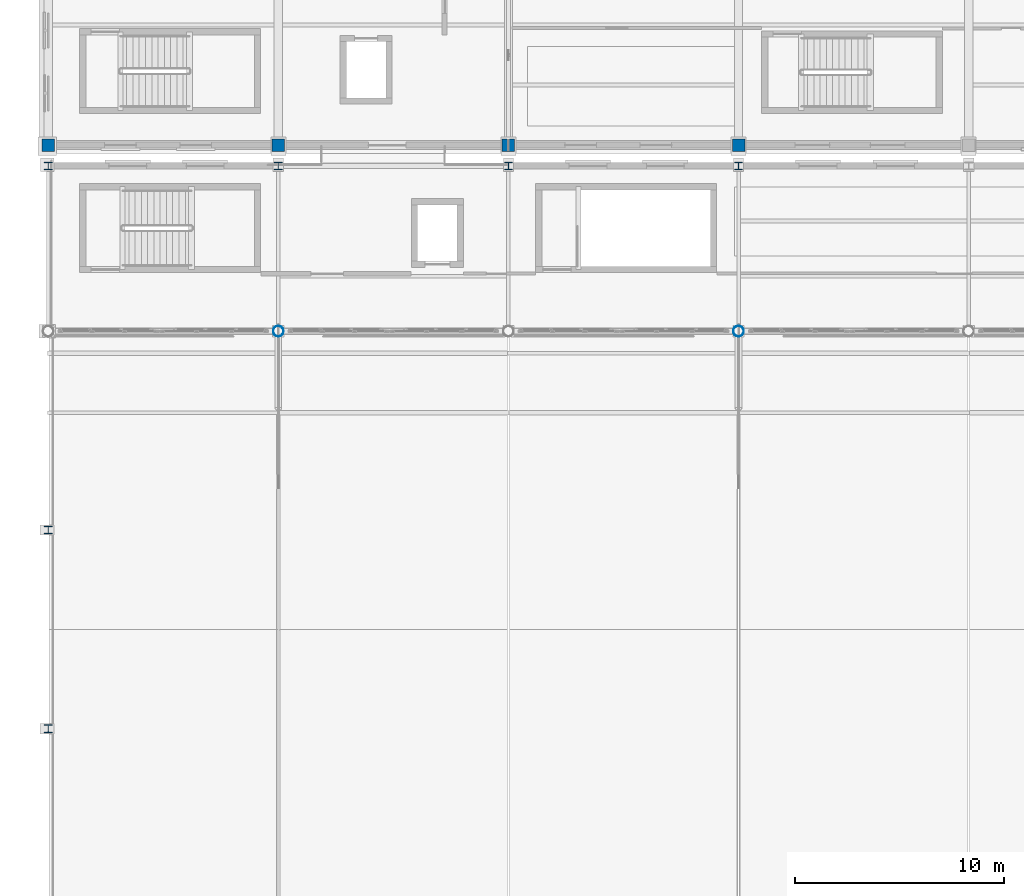
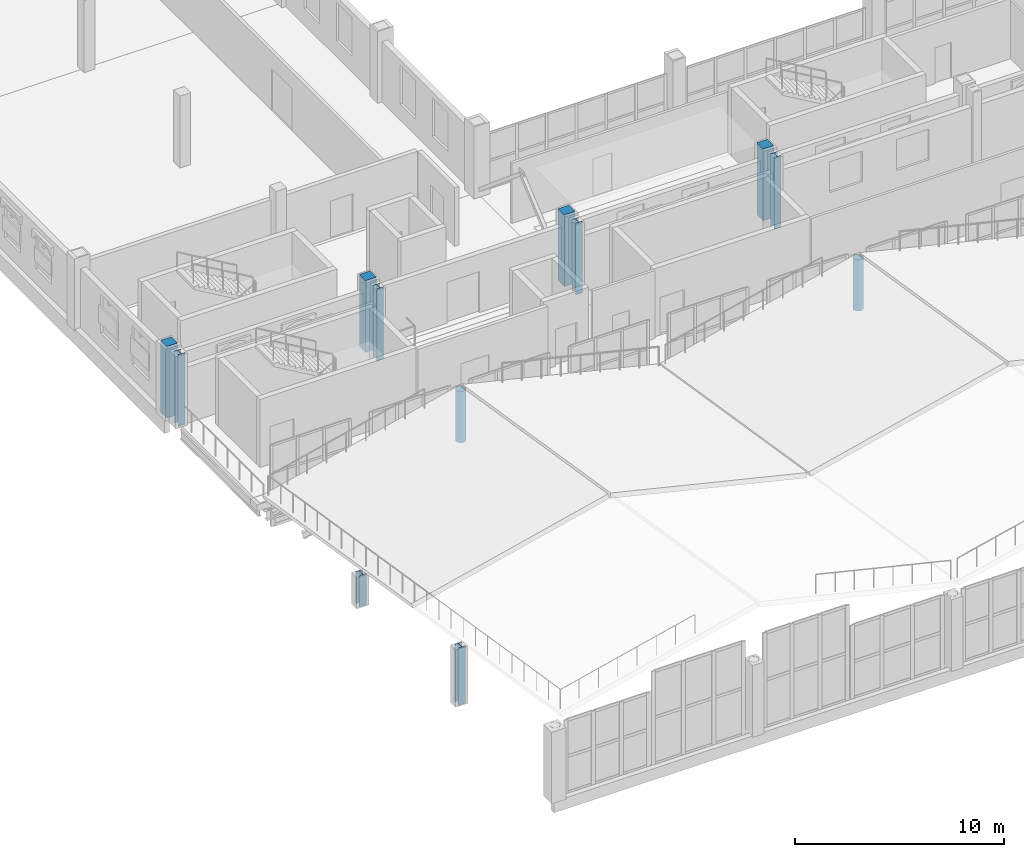
# One storey, part 3 of 120: 12 columns.
"""IFC4 building model written with IfcOpenShell, lengths in metres."""

from ifc_helpers import new_model, si_unit, direction, frame, origin, origin_2d, place, context, subcontext, project, spatial, rectangle, hollow_circle, i_section, extrude, material, material_profile, profile_set, type_object, element, save


model = new_model("IFC4")

# Units and contexts
model_context = context("Model", 3, precision=1e-05, world=origin(), true_north=direction((0.0, 1.0)))
body_context = subcontext(model_context, "Body", "Model", "MODEL_VIEW")
ifc_project = project(units=[si_unit("LENGTHUNIT", "METRE"), si_unit("AREAUNIT", "SQUARE_METRE"), si_unit("VOLUMEUNIT", "CUBIC_METRE"), si_unit("PLANEANGLEUNIT", "RADIAN"), si_unit("MASSUNIT", "GRAM", prefix="KILO")], contexts=[model_context])

# Site, building, storey
site_placement = place(None, origin())
site = spatial("IfcSite", under=ifc_project, at=site_placement, CompositionType="ELEMENT")
building_placement = place(site_placement, origin())
building = spatial("IfcBuilding", under=site, at=building_placement, Name="Caurita Quay Ferry Terminal", CompositionType="ELEMENT")
storey_placement = place(building_placement, frame((0.0, 0.0, 9.89990234375)))
storey = spatial("IfcBuildingStorey", under=building, at=storey_placement, Name="L02", CompositionType="ELEMENT", Elevation=9.89990234375)

# Columns
ifc_material_1 = material(Name="Hollow structural steel ASTM A500 Gr. C", Category="steel")
ifc_material_profile_1 = material_profile(ifc_material_1, hollow_circle(Radius=0.25390625, WallThickness=0.01171875, at=origin_2d()), Name="HSS20.000X0.500")
ifc_profile_set_1 = profile_set([ifc_material_profile_1], Name="Hollow structural steel ASTM A500 Gr. C")
column_type_1 = type_object("IfcColumnType", Name="COL-MST-01", PredefinedType="COLUMN", material=ifc_profile_set_1)
for number, where, z_axis, x_axis, name in (
    (1, (11.0, 62.699951171875, 0.0), (0.0, 0.0, 1.0), (1.0, 0.0, 0.0), "L02 Column V1-MST-02-N"),
    (2, (33.0, 62.699951171875, 0.0), (0.0, 0.0, 1.0), (1.0, 0.0, 0.0), "L02 Column V1-MST-04-N"),
):
    element("IfcColumn", number, at=place(storey_placement, frame(where, z_axis=z_axis, x_axis=x_axis)), inside=storey, type_object=column_type_1, Name=name, PredefinedType="COLUMN", context=body_context, shape_type="SweptSolid", body=[
        extrude(hollow_circle(Radius=0.25390625, WallThickness=0.01171875, at=origin_2d()), origin(), (0.0, 0.0, 1.0), 3.0),
    ])
ifc_material_2 = material(Name="Reinforced concrete C35/45", Category="concrete")
ifc_material_profile_2 = material_profile(ifc_material_2, rectangle(XDim=0.60009765625, YDim=0.60009765625, at=origin_2d()), Name="RC-COL-600X600")
ifc_profile_set_2 = profile_set([ifc_material_profile_2], Name="Reinforced concrete C35/45")
column_type_2 = type_object("IfcColumnType", Name="COL-RC-600", PredefinedType="COLUMN", material=ifc_profile_set_2)
for number, where, z_axis, x_axis, name in (
    (3, (0.0, 71.60009765625, 0.0), (0.0, 0.0, 1.0), (1.0, 0.0, 0.0), "L02 Column V5-01-L"),
    (4, (11.0, 71.60009765625, 0.0), (0.0, 0.0, 1.0), (1.0, 0.0, 0.0), "L02 Column V5-02-L"),
    (5, (22.0, 71.60009765625, 0.0), (0.0, 0.0, 1.0), (1.0, 0.0, 0.0), "L02 Column V5-03-L"),
    (6, (33.0, 71.60009765625, 0.0), (0.0, 0.0, 1.0), (1.0, 0.0, 0.0), "L02 Column V5-04-L"),
):
    element("IfcColumn", number, at=place(storey_placement, frame(where, z_axis=z_axis, x_axis=x_axis)), inside=storey, type_object=column_type_2, Name=name, PredefinedType="COLUMN", context=body_context, shape_type="SweptSolid", body=[
        extrude(rectangle(XDim=0.60009765625, YDim=0.60009765625, at=origin_2d()), origin(), (0.0, 0.0, 1.0), 4.2001953125),
    ])
ifc_material_3 = material(Name="Structural steel ASTM A992 Gr. 50", Category="steel")
ifc_material_profile_3 = material_profile(ifc_material_3, i_section(OverallWidth=0.393798828125, OverallDepth=0.3759765625, WebThickness=0.017333984375, FlangeThickness=0.027587890625, FilletRadius=0.017822265625, at=origin_2d()), Name="W14X145")
ifc_profile_set_3 = profile_set([ifc_material_profile_3], Name="Structural steel ASTM A992 Gr. 50")
column_type_3 = type_object("IfcColumnType", Name="COL-STL-06", PredefinedType="COLUMN", material=ifc_profile_set_3)
column_1_placement = place(storey_placement, frame((0.0, 43.699951171875, 0.0), z_axis=(0.0, 0.0, 1.0), x_axis=(1.0, 0.0, 0.0)))
element("IfcColumn", 7, at=column_1_placement, inside=storey, type_object=column_type_3, Name="L02 Column V1-GBL-01-G", PredefinedType="COLUMN", context=body_context, shape_type="SweptSolid", body=[
    extrude(i_section(OverallWidth=0.393798828125, OverallDepth=0.3759765625, WebThickness=0.017333984375, FlangeThickness=0.027587890625, FilletRadius=0.017822265625, at=origin_2d()), origin(), (0.0, 0.0, 1.0), 3.360107421875),
])
column_2_placement = place(storey_placement, frame((0.0, 53.199951171875, 0.0), z_axis=(0.0, 0.0, 1.0), x_axis=(1.0, 0.0, 0.0)))
element("IfcColumn", 8, at=column_2_placement, inside=storey, type_object=column_type_3, Name="L02 Column V1-GBL-01-H", PredefinedType="COLUMN", context=body_context, shape_type="SweptSolid", body=[
    extrude(i_section(OverallWidth=0.393798828125, OverallDepth=0.3759765625, WebThickness=0.017333984375, FlangeThickness=0.027587890625, FilletRadius=0.017822265625, at=origin_2d()), origin(), (0.0, 0.0, 1.0), 1.840087890625),
])
ifc_material_profile_4 = material_profile(ifc_material_3, i_section(OverallWidth=0.370849609375, OverallDepth=0.36328125, WebThickness=0.01318359375, FlangeThickness=0.021728515625, FilletRadius=0.017822265625, at=origin_2d()), Name="W14X109")
ifc_profile_set_4 = profile_set([ifc_material_profile_4], Name="Structural steel ASTM A992 Gr. 50")
column_type_4 = type_object("IfcColumnType", Name="COL-STL-08", PredefinedType="COLUMN", material=ifc_profile_set_4)
for number, where, z_axis, x_axis, name in (
    (9, (0.0, 70.60009765625, 0.0), (0.0, 0.0, 1.0), (1.0, 0.0, 0.0), "L02 Column V1-NTH-01-K"),
    (10, (11.0, 70.60009765625, 0.0), (0.0, 0.0, 1.0), (1.0, 0.0, 0.0), "L02 Column V1-NTH-02-K"),
    (11, (22.0, 70.60009765625, 0.0), (0.0, 0.0, 1.0), (1.0, 0.0, 0.0), "L02 Column V1-NTH-03-K"),
    (12, (33.0, 70.60009765625, 0.0), (0.0, 0.0, 1.0), (1.0, 0.0, 0.0), "L02 Column V1-NTH-04-K"),
):
    element("IfcColumn", number, at=place(storey_placement, frame(where, z_axis=z_axis, x_axis=x_axis)), inside=storey, type_object=column_type_4, Name=name, PredefinedType="COLUMN", context=body_context, shape_type="SweptSolid", body=[
        extrude(i_section(OverallWidth=0.370849609375, OverallDepth=0.36328125, WebThickness=0.01318359375, FlangeThickness=0.021728515625, FilletRadius=0.017822265625, at=origin_2d()), origin(), (0.0, 0.0, 1.0), 4.2001953125),
    ])

save(model, "model.ifc")
